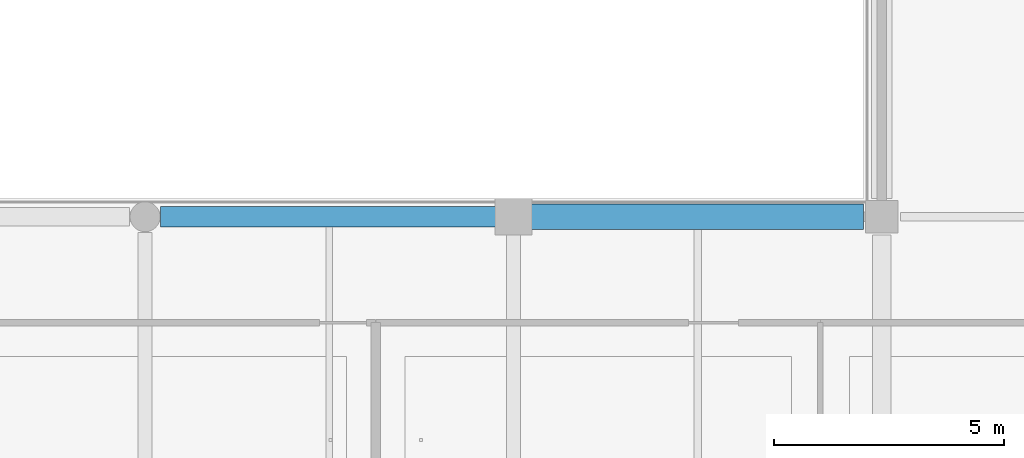
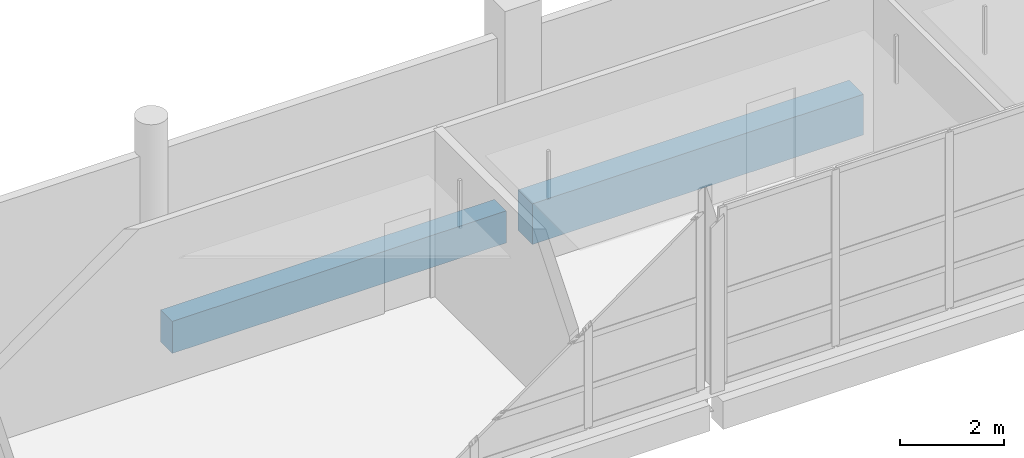
# One storey, part 37 of 107: 2 beams.
"""IFC4 building model written with IfcOpenShell, lengths in metres."""

from ifc_helpers import new_model, si_unit, direction, frame, origin, origin_2d, place, context, subcontext, project, spatial, rectangle, extrude, material, material_profile, profile_set, type_object, element, save


model = new_model("IFC4")

# Units and contexts
model_context = context("Model", 3, precision=1e-05, world=origin(), true_north=direction((0.0, 1.0)))
body_context = subcontext(model_context, "Body", "Model", "MODEL_VIEW")
ifc_project = project(units=[si_unit("LENGTHUNIT", "METRE"), si_unit("AREAUNIT", "SQUARE_METRE"), si_unit("VOLUMEUNIT", "CUBIC_METRE"), si_unit("PLANEANGLEUNIT", "RADIAN"), si_unit("MASSUNIT", "GRAM", prefix="KILO")], contexts=[model_context])

# Site, building, storey
site_placement = place(None, origin())
site = spatial("IfcSite", under=ifc_project, at=site_placement, CompositionType="ELEMENT")
building_placement = place(site_placement, origin())
building = spatial("IfcBuilding", under=site, at=building_placement, Name="Khelvaren Railside Concert Hall", CompositionType="ELEMENT")
storey_placement = place(building_placement, frame((0.0, 0.0, 15.0)))
storey = spatial("IfcBuildingStorey", under=building, at=storey_placement, Name="L03", CompositionType="ELEMENT", Elevation=15.0)

# Beams
ifc_material = material(Name="Concrete C40/50", Category="concrete")
ifc_material_profile_1 = material_profile(ifc_material, rectangle(XDim=0.449951171875, YDim=0.75, at=origin_2d()), Name="RCB 450x750")
ifc_profile_set_1 = profile_set([ifc_material_profile_1], Name="Concrete C40/50")
beam_type_1 = type_object("IfcBeamType", Name="BM83", PredefinedType="BEAM", material=ifc_profile_set_1)
beam_1_placement = place(storey_placement, frame((160.3359375, 7.60009765625, -0.655029296875), z_axis=(1.0, 0.0, 0.0), x_axis=(0.0, 1.0, 0.0)))
element("IfcBeam", 1, at=beam_1_placement, inside=storey, type_object=beam_type_1, Name="V2 L03 Beam X2.3", PredefinedType="BEAM", context=body_context, shape_type="SweptSolid", body=[
    extrude(rectangle(XDim=0.449951171875, YDim=0.75, at=origin_2d()), origin(), (0.0, 0.0, 1.0), 7.39111328125),
])
ifc_material_profile_2 = material_profile(ifc_material, rectangle(XDim=0.550048828125, YDim=0.949951171875, at=origin_2d()), Name="RCB 550x950")
ifc_profile_set_2 = profile_set([ifc_material_profile_2], Name="Concrete C40/50")
beam_type_2 = type_object("IfcBeamType", Name="GR57", PredefinedType="T_BEAM", material=ifc_profile_set_2)
beam_2_placement = place(storey_placement, frame((168.27294921875, 7.60009765625, -0.7548828125), z_axis=(1.0, 0.0, 0.0), x_axis=(0.0, 1.0, 0.0)))
element("IfcBeam", 2, at=beam_2_placement, inside=storey, type_object=beam_type_2, Name="V2 L03 T_Beam X2.4", PredefinedType="T_BEAM", context=body_context, shape_type="SweptSolid", body=[
    extrude(rectangle(XDim=0.550048828125, YDim=0.949951171875, at=origin_2d()), origin(), (0.0, 0.0, 1.0), 7.3271484375),
])

save(model, "model.ifc")
